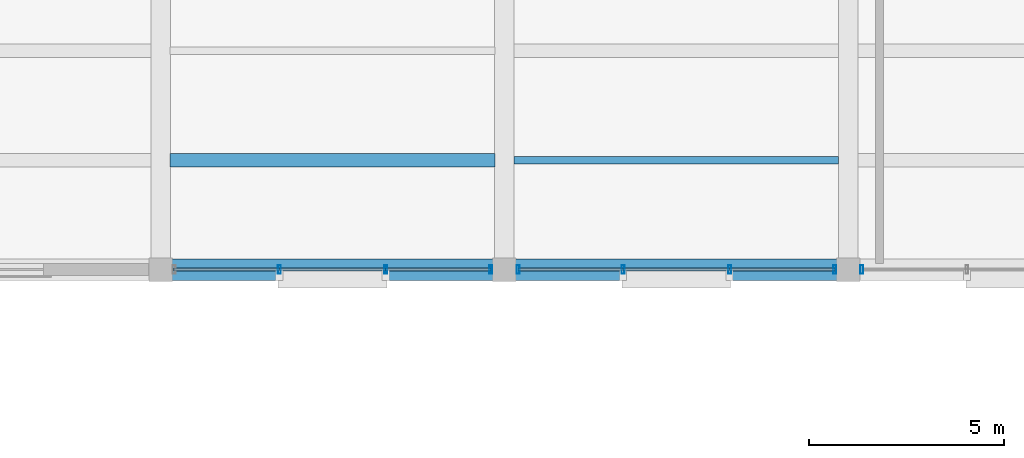
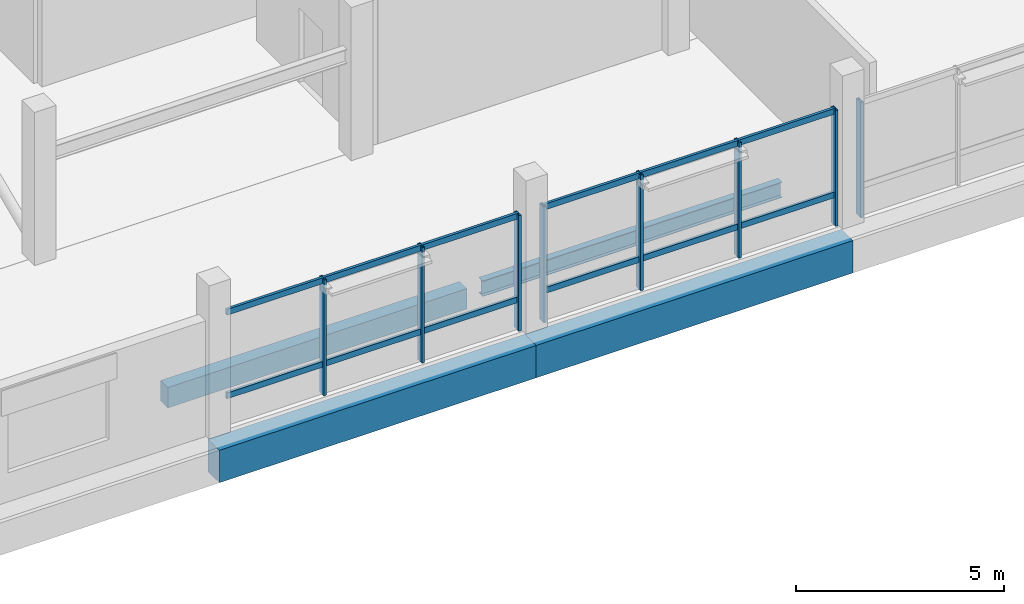
# One storey, part 49 of 77: 20 members, 4 beams, 3 elements without a shape of their own.
"""IFC4 building model written with IfcOpenShell, lengths in metres."""

from ifc_helpers import new_model, si_unit, direction, frame, origin, origin_2d, place, context, subcontext, project, spatial, rectangle, hollow_rectangle, i_section, extrude, material, layer, layer_set, material_profile, profile_set, type_object, element, aggregate, save


model = new_model("IFC4")

# Units and contexts
model_context = context("Model", 3, precision=1e-05, world=origin(), true_north=direction((0.0, 1.0)))
body_context = subcontext(model_context, "Body", "Model", "MODEL_VIEW")
ifc_project = project(units=[si_unit("LENGTHUNIT", "METRE"), si_unit("AREAUNIT", "SQUARE_METRE"), si_unit("VOLUMEUNIT", "CUBIC_METRE"), si_unit("PLANEANGLEUNIT", "RADIAN"), si_unit("MASSUNIT", "GRAM", prefix="KILO")], contexts=[model_context])

# Site, building, storey
site_placement = place(None, origin())
site = spatial("IfcSite", under=ifc_project, at=site_placement, CompositionType="ELEMENT")
building_placement = place(site_placement, origin())
building = spatial("IfcBuilding", under=site, at=building_placement, Name="Meriwether Solvik Hall", CompositionType="ELEMENT")
storey_placement = place(building_placement, frame((0.0, 0.0, 9.89990234375)))
storey = spatial("IfcBuildingStorey", under=building, at=storey_placement, Name="L02", CompositionType="ELEMENT", Elevation=9.89990234375)

# Beams
ifc_material_1 = material(Name="Concrete C40/50", Category="concrete")
ifc_material_profile_1 = material_profile(ifc_material_1, rectangle(XDim=0.35009765625, YDim=0.60009765625, at=origin_2d()), Name="RCB-350X600")
ifc_profile_set_1 = profile_set([ifc_material_profile_1], Name="Concrete C40/50")
beam_type_1 = type_object("IfcBeamType", Name="BM-RC-350X600", PredefinedType="JOIST", material=ifc_profile_set_1)
beam_1_placement = place(storey_placement, frame((132.044921875, 52.800048828125, -0.75), z_axis=(1.0, 0.0, 0.0), x_axis=(0.0, 1.0, 0.0)))
element("IfcBeam", 1, at=beam_1_placement, inside=storey, type_object=beam_type_1, Name="Secondary Floor Joist 15/F_J1 (L02)", PredefinedType="JOIST", context=body_context, shape_type="SweptSolid", body=[
    extrude(rectangle(XDim=0.35009765625, YDim=0.60009765625, at=origin_2d()), origin(), (0.0, 0.0, 1.0), 8.31005859375),
])
ifc_material_2 = material(Name="Concrete C40/50", Category="concrete")
ifc_material_profile_2 = material_profile(ifc_material_2, rectangle(XDim=0.550048828125, YDim=0.949951171875, at=origin_2d()), Name="RCB-550X950")
ifc_profile_set_2 = profile_set([ifc_material_profile_2], Name="Concrete C40/50")
beam_type_2 = type_object("IfcBeamType", Name="BM-RC-550X950", PredefinedType="BEAM", material=ifc_profile_set_2)
beam_2_placement = place(storey_placement, frame((131.800048828125, 50.0, -0.9248046875), z_axis=(1.0, 0.0, 0.0), x_axis=(0.0, 1.0, 0.0)))
element("IfcBeam", 2, at=beam_2_placement, inside=storey, type_object=beam_type_2, Name="Podium Girder F:15-16 (L02)", PredefinedType="BEAM", context=body_context, shape_type="SweptSolid", body=[
    extrude(rectangle(XDim=0.550048828125, YDim=0.949951171875, at=origin_2d()), origin(), (0.0, 0.0, 1.0), 8.800048828125),
])
beam_3_placement = place(storey_placement, frame((140.60009765625, 50.0, -0.9248046875), z_axis=(1.0, 0.0, 0.0), x_axis=(0.0, 1.0, 0.0)))
element("IfcBeam", 3, at=beam_3_placement, inside=storey, type_object=beam_type_2, Name="Podium Girder F:16-17 (L02)", PredefinedType="BEAM", context=body_context, shape_type="SweptSolid", body=[
    extrude(rectangle(XDim=0.550048828125, YDim=0.949951171875, at=origin_2d()), origin(), (0.0, 0.0, 1.0), 8.7998046875),
])
ifc_material_3 = material(Name="Steel A992 Grade 50", Category="steel")
ifc_material_profile_3 = material_profile(ifc_material_3, i_section(OverallWidth=0.19091796875, OverallDepth=0.45703125, WebThickness=0.009033203125, FlangeThickness=0.014404296875, at=origin_2d()), Name="W18X50")
ifc_profile_set_3 = profile_set([ifc_material_profile_3], Name="Steel A992 Grade 50")
beam_type_3 = type_object("IfcBeamType", Name="BM-STL-W18X50", PredefinedType="JOIST", material=ifc_profile_set_3)
beam_4_placement = place(storey_placement, frame((140.844970703125, 52.800048828125, -0.678466796875), z_axis=(1.0, 0.0, 0.0), x_axis=(0.0, 1.0, 0.0)))
element("IfcBeam", 4, at=beam_4_placement, inside=storey, type_object=beam_type_3, Name="Secondary Floor Joist 16/F_J1 (L02)", PredefinedType="JOIST", context=body_context, shape_type="SweptSolid", body=[
    extrude(i_section(OverallWidth=0.19091796875, OverallDepth=0.45703125, WebThickness=0.009033203125, FlangeThickness=0.014404296875, at=origin_2d()), origin(), (0.0, 0.0, 1.0), 8.31005859375),
])

# Curtain wall, members
ifc_material_4 = material(Name="Thermally Broken Anodised Aluminium 6063-T6 and Low-E Glass", Category="aluminium")
ifc_layer = layer(ifc_material_4, 0.179931640625)
ifc_layer_set = layer_set([ifc_layer], Name="Thermally Broken Anodised Aluminium 6063-T6 and Low-E Glass")
curtain_wall_type = type_object("IfcCurtainWallType", Name="CW-SF-POD-C", PredefinedType="USERDEFINED", material=ifc_layer_set)
curtain_wall_1_placement = place(storey_placement, origin())
curtain_wall_1 = element("IfcCurtainWall", 5, at=curtain_wall_1_placement, inside=storey, type_object=curtain_wall_type, Name="Curtain Wall wing_XF_15_8 (L02)", ObjectType="STICK STOREFRONT GLAZING", PredefinedType="USERDEFINED")
ifc_material_5 = material(Name="Anodised Aluminium 6063-T6", Category="aluminium")
ifc_material_profile_4 = material_profile(ifc_material_5, hollow_rectangle(XDim=0.074951171875, YDim=0.219970703125, WallThickness=0.005615234375, at=origin_2d()), Name="CWM-75X220")
ifc_profile_set_4 = profile_set([ifc_material_profile_4], Name="Anodised Aluminium 6063-T6")
member_type_1 = type_object("IfcMemberType", Name="CW-MUL-75X220", PredefinedType="MULLION", material=ifc_profile_set_4)
member_1_placement = place(storey_placement, frame((140.25, 50.0, 0.0), z_axis=(0.0, 0.0, 1.0), x_axis=(-1.0, 0.0, 0.0)))
member_1 = element("IfcMember", 6, at=member_1_placement, type_object=member_type_1, Name="Curtain Wall Mullion 1", PredefinedType="MULLION", context=body_context, shape_type="SweptSolid", body=[
    extrude(hollow_rectangle(XDim=0.074951171875, YDim=0.219970703125, WallThickness=0.005615234375, at=origin_2d()), origin(), (0.0, 0.0, 1.0), 3.39501953125),
])
member_2_placement = place(storey_placement, frame((137.562744140625, 50.0, 0.0), z_axis=(0.0, 0.0, 1.0), x_axis=(-1.0, 0.0, 0.0)))
member_2 = element("IfcMember", 7, at=member_2_placement, type_object=member_type_1, Name="Curtain Wall Mullion 2", PredefinedType="MULLION", context=body_context, shape_type="SweptSolid", body=[
    extrude(hollow_rectangle(XDim=0.074951171875, YDim=0.219970703125, WallThickness=0.005615234375, at=origin_2d()), origin(), (0.0, 0.0, 1.0), 3.39501953125),
])
member_3_placement = place(storey_placement, frame((134.83740234375, 50.0, 0.0), z_axis=(0.0, 0.0, 1.0), x_axis=(-1.0, 0.0, 0.0)))
member_3 = element("IfcMember", 8, at=member_3_placement, type_object=member_type_1, Name="Curtain Wall Mullion 3", PredefinedType="MULLION", context=body_context, shape_type="SweptSolid", body=[
    extrude(hollow_rectangle(XDim=0.074951171875, YDim=0.219970703125, WallThickness=0.005615234375, at=origin_2d()), origin(), (0.0, 0.0, 1.0), 3.39501953125),
])

curtain_wall_2_placement = place(storey_placement, origin())
curtain_wall_2 = element("IfcCurtainWall", 9, at=curtain_wall_2_placement, inside=storey, type_object=curtain_wall_type, Name="Curtain Wall wing_XF_16_9 (L02)", ObjectType="STICK STOREFRONT GLAZING", PredefinedType="USERDEFINED")
member_4_placement = place(storey_placement, frame((149.050048828125, 50.0, 0.0), z_axis=(0.0, 0.0, 1.0), x_axis=(-1.0, 0.0, 0.0)))
member_4 = element("IfcMember", 10, at=member_4_placement, type_object=member_type_1, Name="Curtain Wall Mullion 1", PredefinedType="MULLION", context=body_context, shape_type="SweptSolid", body=[
    extrude(hollow_rectangle(XDim=0.074951171875, YDim=0.219970703125, WallThickness=0.005615234375, at=origin_2d()), origin(), (0.0, 0.0, 1.0), 3.39501953125),
])
member_5_placement = place(storey_placement, frame((146.362548828125, 50.0, 0.0), z_axis=(0.0, 0.0, 1.0), x_axis=(-1.0, 0.0, 0.0)))
member_5 = element("IfcMember", 11, at=member_5_placement, type_object=member_type_1, Name="Curtain Wall Mullion 2", PredefinedType="MULLION", context=body_context, shape_type="SweptSolid", body=[
    extrude(hollow_rectangle(XDim=0.074951171875, YDim=0.219970703125, WallThickness=0.005615234375, at=origin_2d()), origin(), (0.0, 0.0, 1.0), 3.39501953125),
])
member_6_placement = place(storey_placement, frame((143.637451171875, 50.0, 0.0), z_axis=(0.0, 0.0, 1.0), x_axis=(-1.0, 0.0, 0.0)))
member_6 = element("IfcMember", 12, at=member_6_placement, type_object=member_type_1, Name="Curtain Wall Mullion 3", PredefinedType="MULLION", context=body_context, shape_type="SweptSolid", body=[
    extrude(hollow_rectangle(XDim=0.074951171875, YDim=0.219970703125, WallThickness=0.005615234375, at=origin_2d()), origin(), (0.0, 0.0, 1.0), 3.39501953125),
])
member_7_placement = place(storey_placement, frame((140.949951171875, 50.0, 0.0), z_axis=(0.0, 0.0, 1.0), x_axis=(-1.0, 0.0, 0.0)))
member_7 = element("IfcMember", 13, at=member_7_placement, type_object=member_type_1, Name="Curtain Wall Mullion 4", PredefinedType="MULLION", context=body_context, shape_type="SweptSolid", body=[
    extrude(hollow_rectangle(XDim=0.074951171875, YDim=0.219970703125, WallThickness=0.005615234375, at=origin_2d()), origin(), (0.0, 0.0, 1.0), 3.39501953125),
])

# Curtain wall, member
curtain_wall_3_placement = place(storey_placement, origin())
curtain_wall_3 = element("IfcCurtainWall", 14, at=curtain_wall_3_placement, inside=storey, type_object=curtain_wall_type, Name="Curtain Wall wing_XF_17_10 (L02)", ObjectType="STICK STOREFRONT GLAZING", PredefinedType="USERDEFINED")
member_8_placement = place(storey_placement, frame((149.75, 50.0, 0.0), z_axis=(0.0, 0.0, 1.0), x_axis=(-1.0, 0.0, 0.0)))
member_8 = element("IfcMember", 15, at=member_8_placement, type_object=member_type_1, Name="Curtain Wall Mullion 4", PredefinedType="MULLION", context=body_context, shape_type="SweptSolid", body=[
    extrude(hollow_rectangle(XDim=0.074951171875, YDim=0.219970703125, WallThickness=0.005615234375, at=origin_2d()), origin(), (0.0, 0.0, 1.0), 3.39501953125),
])
aggregate(curtain_wall_3, [member_8])

# Member
ifc_material_6 = material(Name="Anodised Aluminium 6063-T6", Category="aluminium")
ifc_material_profile_5 = material_profile(ifc_material_6, hollow_rectangle(XDim=0.074951171875, YDim=0.169921875, WallThickness=0.005615234375, at=origin_2d()), Name="CWT-75X170")
ifc_profile_set_5 = profile_set([ifc_material_profile_5], Name="Anodised Aluminium 6063-T6")
member_type_2 = type_object("IfcMemberType", Name="CW-TRN-75X170", PredefinedType="USERDEFINED", material=ifc_profile_set_5)
member_9_placement = place(storey_placement, frame((140.25, 50.0, 0.880126953125), z_axis=(-1.0, 0.0, 0.0), x_axis=(0.0, -1.0, 0.0)))
member_9 = element("IfcMember", 16, at=member_9_placement, type_object=member_type_2, Name="Curtain Wall Transom 1-sill", ObjectType="TRANSOM", PredefinedType="USERDEFINED", context=body_context, shape_type="SweptSolid", body=[
    extrude(hollow_rectangle(XDim=0.074951171875, YDim=0.169921875, WallThickness=0.005615234375, at=origin_2d()), origin(), (0.0, 0.0, 1.0), 2.687255859375),
])

member_10_placement = place(storey_placement, frame((140.25, 50.0, 3.335205078125), z_axis=(-1.0, 0.0, 0.0), x_axis=(0.0, -1.0, 0.0)))
member_10 = element("IfcMember", 17, at=member_10_placement, type_object=member_type_2, Name="Curtain Wall Transom 1-head", ObjectType="TRANSOM", PredefinedType="USERDEFINED", context=body_context, shape_type="SweptSolid", body=[
    extrude(hollow_rectangle(XDim=0.074951171875, YDim=0.169921875, WallThickness=0.005615234375, at=origin_2d()), origin(), (0.0, 0.0, 1.0), 2.687255859375),
])

member_11_placement = place(storey_placement, frame((137.562744140625, 50.0, 0.880126953125), z_axis=(-1.0, 0.0, 0.0), x_axis=(0.0, -1.0, 0.0)))
member_11 = element("IfcMember", 18, at=member_11_placement, type_object=member_type_2, Name="Curtain Wall Transom 2-sill", ObjectType="TRANSOM", PredefinedType="USERDEFINED", context=body_context, shape_type="SweptSolid", body=[
    extrude(hollow_rectangle(XDim=0.074951171875, YDim=0.169921875, WallThickness=0.005615234375, at=origin_2d()), origin(), (0.0, 0.0, 1.0), 2.725341796875),
])

member_12_placement = place(storey_placement, frame((137.562744140625, 50.0, 3.335205078125), z_axis=(-1.0, 0.0, 0.0), x_axis=(0.0, -1.0, 0.0)))
member_12 = element("IfcMember", 19, at=member_12_placement, type_object=member_type_2, Name="Curtain Wall Transom 2-head", ObjectType="TRANSOM", PredefinedType="USERDEFINED", context=body_context, shape_type="SweptSolid", body=[
    extrude(hollow_rectangle(XDim=0.074951171875, YDim=0.169921875, WallThickness=0.005615234375, at=origin_2d()), origin(), (0.0, 0.0, 1.0), 2.725341796875),
])

member_13_placement = place(storey_placement, frame((134.83740234375, 50.0, 0.880126953125), z_axis=(-1.0, 0.0, 0.0), x_axis=(0.0, -1.0, 0.0)))
member_13 = element("IfcMember", 20, at=member_13_placement, type_object=member_type_2, Name="Curtain Wall Transom 3-sill", ObjectType="TRANSOM", PredefinedType="USERDEFINED", context=body_context, shape_type="SweptSolid", body=[
    extrude(hollow_rectangle(XDim=0.074951171875, YDim=0.169921875, WallThickness=0.005615234375, at=origin_2d()), origin(), (0.0, 0.0, 1.0), 2.6875),
])

member_14_placement = place(storey_placement, frame((134.83740234375, 50.0, 3.335205078125), z_axis=(-1.0, 0.0, 0.0), x_axis=(0.0, -1.0, 0.0)))
member_14 = element("IfcMember", 21, at=member_14_placement, type_object=member_type_2, Name="Curtain Wall Transom 3-head", ObjectType="TRANSOM", PredefinedType="USERDEFINED", context=body_context, shape_type="SweptSolid", body=[
    extrude(hollow_rectangle(XDim=0.074951171875, YDim=0.169921875, WallThickness=0.005615234375, at=origin_2d()), origin(), (0.0, 0.0, 1.0), 2.6875),
])

aggregate(curtain_wall_1, [member_1, member_2, member_3, member_9, member_10, member_11, member_12, member_13, member_14])

member_15_placement = place(storey_placement, frame((149.050048828125, 50.0, 0.880126953125), z_axis=(-1.0, 0.0, 0.0), x_axis=(0.0, -1.0, 0.0)))
member_15 = element("IfcMember", 22, at=member_15_placement, type_object=member_type_2, Name="Curtain Wall Transom 1-sill", ObjectType="TRANSOM", PredefinedType="USERDEFINED", context=body_context, shape_type="SweptSolid", body=[
    extrude(hollow_rectangle(XDim=0.074951171875, YDim=0.169921875, WallThickness=0.005615234375, at=origin_2d()), origin(), (0.0, 0.0, 1.0), 2.6875),
])

member_16_placement = place(storey_placement, frame((149.050048828125, 50.0, 3.335205078125), z_axis=(-1.0, 0.0, 0.0), x_axis=(0.0, -1.0, 0.0)))
member_16 = element("IfcMember", 23, at=member_16_placement, type_object=member_type_2, Name="Curtain Wall Transom 1-head", ObjectType="TRANSOM", PredefinedType="USERDEFINED", context=body_context, shape_type="SweptSolid", body=[
    extrude(hollow_rectangle(XDim=0.074951171875, YDim=0.169921875, WallThickness=0.005615234375, at=origin_2d()), origin(), (0.0, 0.0, 1.0), 2.6875),
])

member_17_placement = place(storey_placement, frame((146.362548828125, 50.0, 0.880126953125), z_axis=(-1.0, 0.0, 0.0), x_axis=(0.0, -1.0, 0.0)))
member_17 = element("IfcMember", 24, at=member_17_placement, type_object=member_type_2, Name="Curtain Wall Transom 2-sill", ObjectType="TRANSOM", PredefinedType="USERDEFINED", context=body_context, shape_type="SweptSolid", body=[
    extrude(hollow_rectangle(XDim=0.074951171875, YDim=0.169921875, WallThickness=0.005615234375, at=origin_2d()), origin(), (0.0, 0.0, 1.0), 2.72509765625),
])

member_18_placement = place(storey_placement, frame((146.362548828125, 50.0, 3.335205078125), z_axis=(-1.0, 0.0, 0.0), x_axis=(0.0, -1.0, 0.0)))
member_18 = element("IfcMember", 25, at=member_18_placement, type_object=member_type_2, Name="Curtain Wall Transom 2-head", ObjectType="TRANSOM", PredefinedType="USERDEFINED", context=body_context, shape_type="SweptSolid", body=[
    extrude(hollow_rectangle(XDim=0.074951171875, YDim=0.169921875, WallThickness=0.005615234375, at=origin_2d()), origin(), (0.0, 0.0, 1.0), 2.72509765625),
])

member_19_placement = place(storey_placement, frame((143.637451171875, 50.0, 0.880126953125), z_axis=(-1.0, 0.0, 0.0), x_axis=(0.0, -1.0, 0.0)))
member_19 = element("IfcMember", 26, at=member_19_placement, type_object=member_type_2, Name="Curtain Wall Transom 3-sill", ObjectType="TRANSOM", PredefinedType="USERDEFINED", context=body_context, shape_type="SweptSolid", body=[
    extrude(hollow_rectangle(XDim=0.074951171875, YDim=0.169921875, WallThickness=0.005615234375, at=origin_2d()), origin(), (0.0, 0.0, 1.0), 2.6875),
])

member_20_placement = place(storey_placement, frame((143.637451171875, 50.0, 3.335205078125), z_axis=(-1.0, 0.0, 0.0), x_axis=(0.0, -1.0, 0.0)))
member_20 = element("IfcMember", 27, at=member_20_placement, type_object=member_type_2, Name="Curtain Wall Transom 3-head", ObjectType="TRANSOM", PredefinedType="USERDEFINED", context=body_context, shape_type="SweptSolid", body=[
    extrude(hollow_rectangle(XDim=0.074951171875, YDim=0.169921875, WallThickness=0.005615234375, at=origin_2d()), origin(), (0.0, 0.0, 1.0), 2.6875),
])

aggregate(curtain_wall_2, [member_4, member_5, member_6, member_7, member_15, member_16, member_17, member_18, member_19, member_20])

save(model, "model.ifc")
